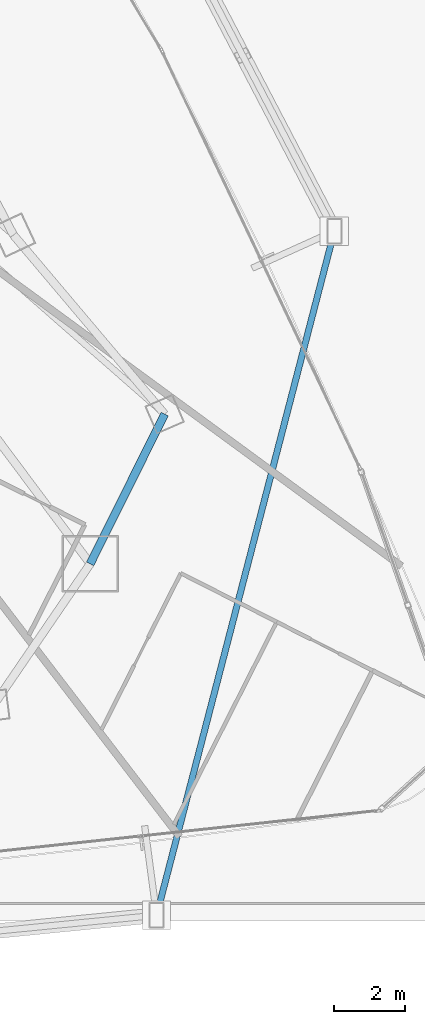
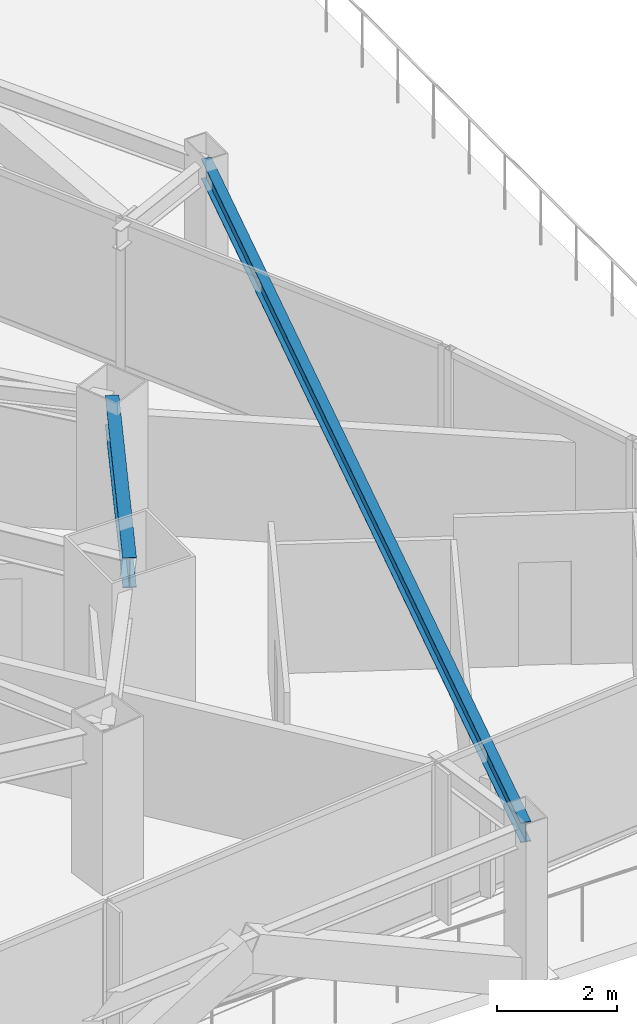
# One storey, part 15 of 36: 2 beams.
"""IFC4 building model written with IfcOpenShell, lengths in metres."""

from ifc_helpers import new_model, si_unit, direction, frame, origin, origin_2d, place, context, subcontext, project, spatial, i_section, extrude, material, material_profile, profile_set, type_object, element, save


model = new_model("IFC4")

# Units and contexts
model_context = context("Model", 3, precision=1e-05, world=origin(), true_north=direction((0.0, 1.0)))
body_context = subcontext(model_context, "Body", "Model", "MODEL_VIEW")
ifc_project = project(units=[si_unit("LENGTHUNIT", "METRE"), si_unit("AREAUNIT", "SQUARE_METRE"), si_unit("VOLUMEUNIT", "CUBIC_METRE"), si_unit("PLANEANGLEUNIT", "RADIAN"), si_unit("MASSUNIT", "GRAM", prefix="KILO")], contexts=[model_context])

# Site, building, storey
site_placement = place(None, origin())
site = spatial("IfcSite", under=ifc_project, at=site_placement, CompositionType="ELEMENT")
building_placement = place(site_placement, origin())
building = spatial("IfcBuilding", under=site, at=building_placement, Name="Orvanel Arch Residences", CompositionType="ELEMENT")
storey_placement = place(building_placement, frame((0.0, 0.0, 23.60009765625)))
storey = spatial("IfcBuildingStorey", under=building, at=storey_placement, Name="L05", CompositionType="ELEMENT", Elevation=23.60009765625)

# Beams
ifc_material = material(Name="Structural steel AS/NZS 3679.1 Grade 300 (300 MPa)", Category="steel")
ifc_material_profile_1 = material_profile(ifc_material, i_section(OverallWidth=0.177978515625, OverallDepth=0.406005859375, WebThickness=0.0078125, FlangeThickness=0.0126953125, at=origin_2d()), Name="410UB59.7")
ifc_profile_set_1 = profile_set([ifc_material_profile_1], Name="Structural steel AS/NZS 3679.1 Grade 300 (300 MPa)")
beam_type_1 = type_object("IfcBeamType", Name="OB-410UB-EXT", PredefinedType="SPANDREL", material=ifc_profile_set_1)
beam_1_placement = place(storey_placement, frame((53.677001953125, 0.416015625, 2.85693359375), z_axis=(0.251495587729, 0.967858444894, 0.0), x_axis=(-0.967858444894, 0.251495587729, 0.0)))
element("IfcBeam", 1, at=beam_1_placement, inside=storey, type_object=beam_type_1, Name="L05 Outer Perimeter Floor Ring Beam 08", PredefinedType="SPANDREL", context=body_context, shape_type="SweptSolid", body=[
    extrude(i_section(OverallWidth=0.177978515625, OverallDepth=0.406005859375, WebThickness=0.0078125, FlangeThickness=0.0126953125, at=origin_2d()), origin(), (0.0, 0.0, 1.0), 19.97998046875),
])
ifc_material_profile_2 = material_profile(ifc_material, i_section(OverallWidth=0.22900390625, OverallDepth=0.612060546875, WebThickness=0.011962890625, FlangeThickness=0.01953125, at=origin_2d()), Name="610UB125")
ifc_profile_set_2 = profile_set([ifc_material_profile_2], Name="Structural steel AS/NZS 3679.1 Grade 300 (300 MPa)")
beam_type_2 = type_object("IfcBeamType", Name="SP-610UB", PredefinedType="SPANDREL", material=ifc_profile_set_2)
beam_2_placement = place(storey_placement, frame((51.801025390625, 10.35107421875, 2.75390625), z_axis=(0.44543469453, 0.895314432425, 0.0), x_axis=(-0.895314432425, 0.44543469453, 0.0)))
element("IfcBeam", 2, at=beam_2_placement, inside=storey, type_object=beam_type_2, Name="L05 Perimeter Spandrel Beam 11", PredefinedType="SPANDREL", context=body_context, shape_type="SweptSolid", body=[
    extrude(i_section(OverallWidth=0.22900390625, OverallDepth=0.612060546875, WebThickness=0.011962890625, FlangeThickness=0.01953125, at=origin_2d()), origin(), (0.0, 0.0, 1.0), 4.723388671875),
])

save(model, "model.ifc")
